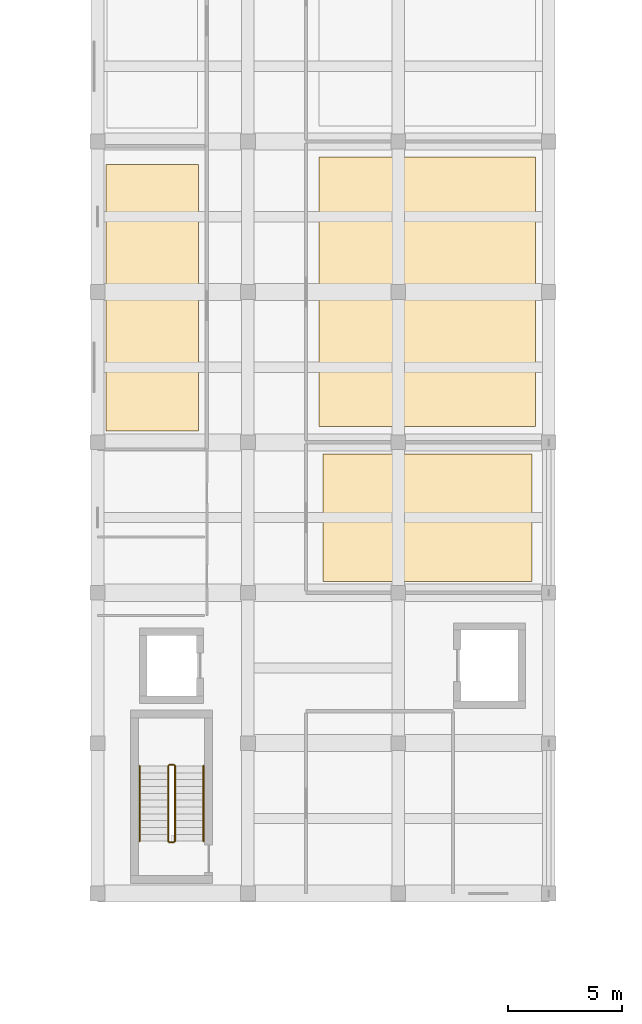
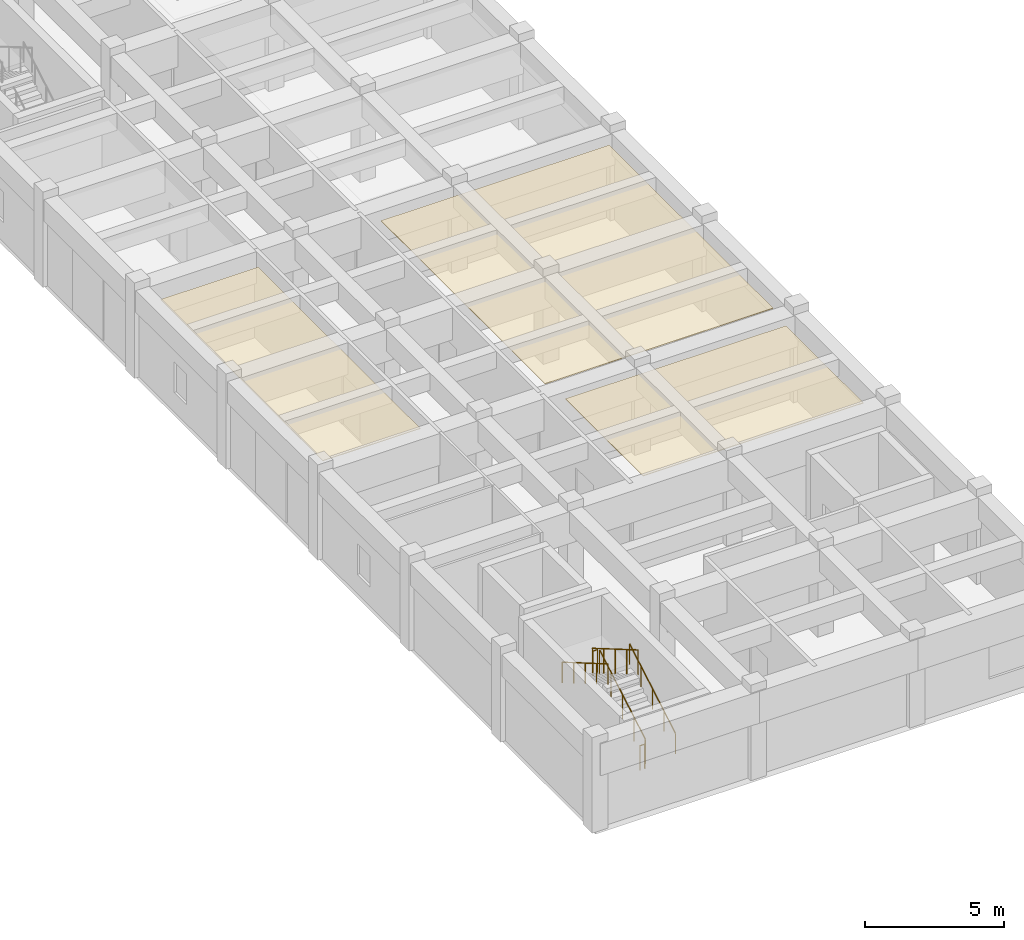
# One storey, part 143 of 147: 6 railings, 3 coverings.
"""IFC4 building model written with IfcOpenShell, lengths in metres."""

from ifc_helpers import new_model, si_unit, direction, frame, origin, origin_2d, place, context, subcontext, project, spatial, polyline, circle, outline, extrude, material, layer, layer_set, type_object, element, save


model = new_model("IFC4")

# Units and contexts
model_context = context("Model", 3, precision=1e-05, world=origin(), true_north=direction((0.0, 1.0)))
body_context = subcontext(model_context, "Body", "Model", "MODEL_VIEW")
ifc_project = project(units=[si_unit("LENGTHUNIT", "METRE"), si_unit("AREAUNIT", "SQUARE_METRE"), si_unit("VOLUMEUNIT", "CUBIC_METRE"), si_unit("PLANEANGLEUNIT", "RADIAN"), si_unit("MASSUNIT", "GRAM", prefix="KILO")], contexts=[model_context])

# Site, building, storey
site_placement = place(None, origin())
site = spatial("IfcSite", under=ifc_project, at=site_placement, CompositionType="ELEMENT")
building_placement = place(site_placement, origin())
building = spatial("IfcBuilding", under=site, at=building_placement, Name="Karori Crest Natural Sciences Institute", CompositionType="ELEMENT")
storey_placement = place(building_placement, frame((0.0, 0.0, 9.10009765625)))
storey = spatial("IfcBuildingStorey", under=building, at=storey_placement, Name="L02", CompositionType="ELEMENT", Elevation=9.10009765625)

# Coverings
ifc_material_1 = material(Name="Acoustic mineral fibre ceiling tile")
ifc_layer = layer(ifc_material_1, 0.02490234375, Name="Acoustic mineral fibre ceiling tile")
ifc_layer_set = layer_set([ifc_layer], Name="Acoustic mineral fibre ceiling tile")
covering_type = type_object("IfcCoveringType", Name="CVT-CEIL", PredefinedType="CEILING", material=ifc_layer_set)
covering_1_placement = place(storey_placement, frame((0.0, 0.0, 3.625)))
element("IfcCovering", 1, at=covering_1_placement, inside=storey, type_object=covering_type, Name="Acoustic ceiling CLG-0030", PredefinedType="CEILING", context=body_context, shape_type="SweptSolid", body=[
    extrude(outline(polyline([(7.76953125, 126.998779296875), (7.76953125, 115.30126953125), (11.830322265625, 115.30126953125), (11.830322265625, 126.998779296875), (7.76953125, 126.998779296875)])), origin(), (0.0, 0.0, 1.0), 0.02490234375),
])
covering_2_placement = place(storey_placement, frame((0.0, 0.0, 3.625)))
element("IfcCovering", 2, at=covering_2_placement, inside=storey, type_object=covering_type, Name="Acoustic ceiling CLG-0033", PredefinedType="CEILING", context=body_context, shape_type="SweptSolid", body=[
    extrude(outline(polyline([(17.28759765625, 114.295654296875), (17.28759765625, 108.704345703125), (26.46240234375, 108.704345703125), (26.46240234375, 114.295654296875), (17.28759765625, 114.295654296875)])), origin(), (0.0, 0.0, 1.0), 0.02490234375),
])
covering_3_placement = place(storey_placement, frame((0.0, 0.0, 3.625)))
element("IfcCovering", 3, at=covering_3_placement, inside=storey, type_object=covering_type, Name="Acoustic ceiling CLG-0034", PredefinedType="CEILING", context=body_context, shape_type="SweptSolid", body=[
    extrude(outline(polyline([(17.128173828125, 127.314208984375), (17.128173828125, 115.48583984375), (26.621826171875, 115.48583984375), (26.621826171875, 127.314208984375), (17.128173828125, 127.314208984375)])), origin(), (0.0, 0.0, 1.0), 0.02490234375),
])

# Railings
ifc_material_2 = material(Name="Stainless steel 316 tubular handrail", Category="steel")
railing_type_1 = type_object("IfcRailingType", Name="RLT-HND", PredefinedType="HANDRAIL", material=ifc_material_2)
railing_1_placement = place(storey_placement, frame((12.050048828125, 97.300048828125, 0.1748046875)))
element("IfcRailing", 4, at=railing_1_placement, inside=storey, type_object=railing_type_1, Name="Stair handrail RL-0249", PredefinedType="HANDRAIL", context=body_context, shape_type="SweptSolid", body=[
    extrude(circle(Radius=0.02392578125, at=origin_2d()), frame((0.0, 0.0, 0.90087890625), z_axis=(0.0, 0.863776583165, 0.503874998761), x_axis=(-1.0, 0.0, 0.0)), (0.0, 0.0, 1.0), 3.820556640625),
    extrude(circle(Radius=0.02099609375, at=origin_2d()), origin(), (0.0, 0.0, 1.0), 0.876953125),
    extrude(circle(Radius=0.02099609375, at=origin_2d()), frame((0.0, 0.824951171875, 0.481201171875)), (0.0, 0.0, 1.0), 0.876953125),
    extrude(circle(Radius=0.02099609375, at=origin_2d()), frame((0.0, 1.64990234375, 0.96240234375)), (0.0, 0.0, 1.0), 0.876953125),
    extrude(circle(Radius=0.02099609375, at=origin_2d()), frame((0.0, 2.47509765625, 1.44384765625)), (0.0, 0.0, 1.0), 0.876953125),
    extrude(circle(Radius=0.02099609375, at=origin_2d()), frame((0.0, 3.300048828125, 1.925048828125)), (0.0, 0.0, 1.0), 0.876953125),
])
railing_2_placement = place(storey_placement, frame((9.25, 100.60009765625, 2.27490234375)))
element("IfcRailing", 5, at=railing_2_placement, inside=storey, type_object=railing_type_1, Name="Stair handrail RL-0250", PredefinedType="HANDRAIL", context=body_context, shape_type="SweptSolid", body=[
    extrude(circle(Radius=0.02392578125, at=origin_2d()), frame((0.0, 0.0, 0.90087890625), z_axis=(0.0, -0.863776583165, 0.503874998761), x_axis=(1.0, 0.0, 0.0)), (0.0, 0.0, 1.0), 3.820556640625),
    extrude(circle(Radius=0.02099609375, at=origin_2d()), origin(), (0.0, 0.0, 1.0), 0.876953125),
    extrude(circle(Radius=0.02099609375, at=origin_2d()), frame((0.0, -0.824951171875, 0.481201171875)), (0.0, 0.0, 1.0), 0.876953125),
    extrude(circle(Radius=0.02099609375, at=origin_2d()), frame((0.0, -1.64990234375, 0.96240234375)), (0.0, 0.0, 1.0), 0.876953125),
    extrude(circle(Radius=0.02099609375, at=origin_2d()), frame((0.0, -2.47509765625, 1.44384765625)), (0.0, 0.0, 1.0), 0.876953125),
    extrude(circle(Radius=0.02099609375, at=origin_2d()), frame((0.0, -3.300048828125, 1.925048828125)), (0.0, 0.0, 1.0), 0.876953125),
])
ifc_material_3 = material(Name="Stainless steel 316 stair guard", Category="steel")
railing_type_2 = type_object("IfcRailingType", Name="RLT-STG", PredefinedType="GUARDRAIL", material=ifc_material_3)
railing_3_placement = place(storey_placement, frame((10.800048828125, 97.300048828125, 0.1748046875)))
element("IfcRailing", 6, at=railing_3_placement, inside=storey, type_object=railing_type_2, Name="Stair guard RL-0245", PredefinedType="GUARDRAIL", context=body_context, shape_type="SweptSolid", body=[
    extrude(circle(Radius=0.02392578125, at=origin_2d()), frame((0.0, 0.0, 1.076171875), z_axis=(0.0, 0.863776583165, 0.503874998761), x_axis=(-1.0, 0.0, 0.0)), (0.0, 0.0, 1.0), 3.820556640625),
    extrude(circle(Radius=0.02099609375, at=origin_2d()), origin(), (0.0, 0.0, 1.0), 1.052001953125),
    extrude(circle(Radius=0.02099609375, at=origin_2d()), frame((0.0, 0.824951171875, 0.481201171875)), (0.0, 0.0, 1.0), 1.052001953125),
    extrude(circle(Radius=0.02099609375, at=origin_2d()), frame((0.0, 1.64990234375, 0.96240234375)), (0.0, 0.0, 1.0), 1.052001953125),
    extrude(circle(Radius=0.02099609375, at=origin_2d()), frame((0.0, 2.47509765625, 1.44384765625)), (0.0, 0.0, 1.0), 1.052001953125),
    extrude(circle(Radius=0.02099609375, at=origin_2d()), frame((0.0, 3.300048828125, 1.925048828125)), (0.0, 0.0, 1.0), 1.052001953125),
])
railing_4_placement = place(storey_placement, frame((10.75, 100.64990234375, 2.099853515625)))
element("IfcRailing", 7, at=railing_4_placement, inside=storey, type_object=railing_type_2, Name="Stair guard RL-0246", PredefinedType="GUARDRAIL", context=body_context, shape_type="SweptSolid", body=[
    extrude(circle(Radius=0.02392578125, at=origin_2d()), frame((0.0, 0.0, 1.076171875), z_axis=(-1.0, 0.0, 0.0), x_axis=(0.0, -1.0, 0.0)), (0.0, 0.0, 1.0), 0.199951171875),
    extrude(circle(Radius=0.02099609375, at=origin_2d()), origin(), (0.0, 0.0, 1.0), 1.052001953125),
    extrude(circle(Radius=0.02099609375, at=origin_2d()), frame((-0.199951171875, 0.0, 0.0)), (0.0, 0.0, 1.0), 1.052001953125),
])
railing_5_placement = place(storey_placement, frame((10.5, 100.60009765625, 2.27490234375)))
element("IfcRailing", 8, at=railing_5_placement, inside=storey, type_object=railing_type_2, Name="Stair guard RL-0247", PredefinedType="GUARDRAIL", context=body_context, shape_type="SweptSolid", body=[
    extrude(circle(Radius=0.02392578125, at=origin_2d()), frame((0.0, 0.0, 1.076171875), z_axis=(0.0, -0.863776583165, 0.503874998761), x_axis=(1.0, 0.0, 0.0)), (0.0, 0.0, 1.0), 3.820556640625),
    extrude(circle(Radius=0.02099609375, at=origin_2d()), origin(), (0.0, 0.0, 1.0), 1.052001953125),
    extrude(circle(Radius=0.02099609375, at=origin_2d()), frame((0.0, -0.824951171875, 0.481201171875)), (0.0, 0.0, 1.0), 1.052001953125),
    extrude(circle(Radius=0.02099609375, at=origin_2d()), frame((0.0, -1.64990234375, 0.96240234375)), (0.0, 0.0, 1.0), 1.052001953125),
    extrude(circle(Radius=0.02099609375, at=origin_2d()), frame((0.0, -2.47509765625, 1.44384765625)), (0.0, 0.0, 1.0), 1.052001953125),
    extrude(circle(Radius=0.02099609375, at=origin_2d()), frame((0.0, -3.300048828125, 1.925048828125)), (0.0, 0.0, 1.0), 1.052001953125),
])
railing_6_placement = place(storey_placement, frame((10.75, 97.25, 0.0)))
element("IfcRailing", 9, at=railing_6_placement, inside=storey, type_object=railing_type_2, Name="Stair guard RL-0248", PredefinedType="GUARDRAIL", context=body_context, shape_type="SweptSolid", body=[
    extrude(circle(Radius=0.02392578125, at=origin_2d()), frame((0.0, 0.0, 1.076171875), z_axis=(-1.0, 0.0, 0.0), x_axis=(0.0, -1.0, 0.0)), (0.0, 0.0, 1.0), 0.199951171875),
    extrude(circle(Radius=0.02099609375, at=origin_2d()), origin(), (0.0, 0.0, 1.0), 1.052001953125),
    extrude(circle(Radius=0.02099609375, at=origin_2d()), frame((-0.199951171875, 0.0, 0.0)), (0.0, 0.0, 1.0), 1.052001953125),
])

save(model, "model.ifc")
